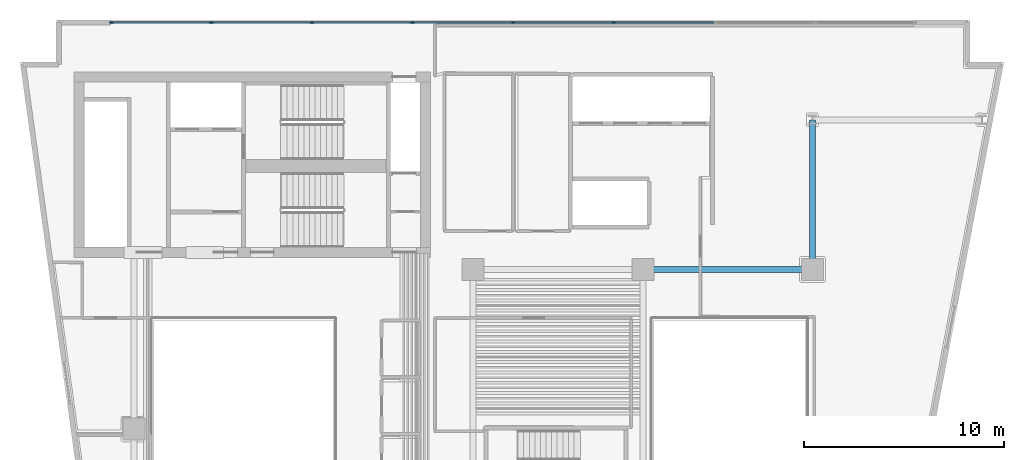
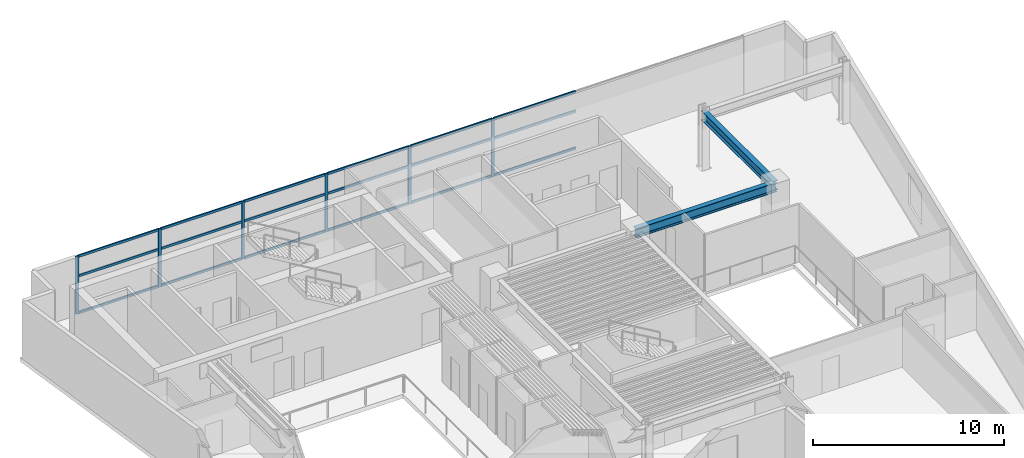
# One storey, part 3 of 13: 24 members, 2 beams, 1 element without a shape of its own.
"""IFC4 building model written with IfcOpenShell, lengths in metres."""

from ifc_helpers import new_model, si_unit, direction, frame, origin, origin_2d, place, context, subcontext, project, spatial, rectangle, i_section, extrude, material, layer, layer_set, material_profile, profile_set, type_object, element, aggregate, save


model = new_model("IFC4")

# Units and contexts
model_context = context("Model", 3, precision=1e-05, world=origin(), true_north=direction((0.0, 1.0)))
body_context = subcontext(model_context, "Body", "Model", "MODEL_VIEW")
ifc_project = project(units=[si_unit("LENGTHUNIT", "METRE"), si_unit("AREAUNIT", "SQUARE_METRE"), si_unit("VOLUMEUNIT", "CUBIC_METRE"), si_unit("PLANEANGLEUNIT", "RADIAN"), si_unit("MASSUNIT", "GRAM", prefix="KILO")], contexts=[model_context])

# Site, building, storey
site_placement = place(None, origin())
site = spatial("IfcSite", under=ifc_project, at=site_placement, CompositionType="ELEMENT")
building_placement = place(site_placement, origin())
building = spatial("IfcBuilding", under=site, at=building_placement, Name="Caeloran Harvest Quay", CompositionType="ELEMENT")
storey_placement = place(building_placement, frame((0.0, 0.0, 127.199951171875)))
storey = spatial("IfcBuildingStorey", under=building, at=storey_placement, Name="L29", CompositionType="ELEMENT", Elevation=127.199951171875)

# Beams
ifc_material_1 = material(Name="Steel S355J2", Category="steel")
ifc_material_profile_1 = material_profile(ifc_material_1, i_section(OverallWidth=0.300048828125, OverallDepth=0.60009765625, WebThickness=0.015380859375, FlangeThickness=0.030029296875, FilletRadius=0.027099609375, at=origin_2d()), Name="HE 600 B")
ifc_profile_set_1 = profile_set([ifc_material_profile_1], Name="Steel S355J2")
beam_type = type_object("IfcBeamType", Name="BM-PG-3-HE_600_B", PredefinedType="BEAM", material=ifc_profile_set_1)
beam_1_placement = place(storey_placement, frame((34.0, 31.0, 3.39013671875), z_axis=(1.0, 0.0, 0.0), x_axis=(0.0, 1.0, 0.0)))
element("IfcBeam", 1, at=beam_1_placement, inside=storey, type_object=beam_type, Name="L29 Primary East-West Girder Y=31.0", PredefinedType="BEAM", context=body_context, shape_type="SweptSolid", body=[
    extrude(i_section(OverallWidth=0.300048828125, OverallDepth=0.60009765625, WebThickness=0.015380859375, FlangeThickness=0.030029296875, FilletRadius=0.027099609375, at=origin_2d()), origin(), (0.0, 0.0, 1.0), 8.5),
])
beam_2_placement = place(storey_placement, frame((42.5, 31.0, 3.39013671875), z_axis=(0.0, 1.0, 0.0), x_axis=(-1.0, 0.0, 0.0)))
element("IfcBeam", 2, at=beam_2_placement, inside=storey, type_object=beam_type, Name="L29 Primary North-South Girder X=42.5", PredefinedType="BEAM", context=body_context, shape_type="SweptSolid", body=[
    extrude(i_section(OverallWidth=0.300048828125, OverallDepth=0.60009765625, WebThickness=0.015380859375, FlangeThickness=0.030029296875, FilletRadius=0.027099609375, at=origin_2d()), origin(), (0.0, 0.0, 1.0), 7.5),
])

# Curtain wall, members
ifc_material_2 = material(Name="Aluminium 6063-T6 and Low-E Glazing", Category="aluminium")
ifc_layer = layer(ifc_material_2, 0.18994140625, Name="Aluminium 6063-T6 and Low-E Glazing")
ifc_layer_set = layer_set([ifc_layer], Name="Aluminium 6063-T6 and Low-E Glazing")
curtain_wall_type = type_object("IfcCurtainWallType", Name="CW-SYS-CW-3", PredefinedType="USERDEFINED", material=ifc_layer_set)
curtain_wall_placement = place(storey_placement, origin())
curtain_wall = element("IfcCurtainWall", 3, at=curtain_wall_placement, inside=storey, type_object=curtain_wall_type, Name="L29 Unitised Curtain Wall CW-3 Run 6", ObjectType="CURTAIN_WALL", PredefinedType="USERDEFINED")
ifc_material_3 = material(Name="Aluminium 6063-T6", Category="aluminium")
ifc_material_profile_2 = material_profile(ifc_material_3, rectangle(XDim=0.080078125, YDim=0.179931640625, at=origin_2d()), Name="CW-MULLION-180")
ifc_profile_set_2 = profile_set([ifc_material_profile_2], Name="Aluminium 6063-T6")
member_type_1 = type_object("IfcMemberType", Name="CW-MULLION-180", PredefinedType="MULLION", material=ifc_profile_set_2)
member_1_placement = place(storey_placement, frame((7.3701171875, 43.3701171875, 0.0), z_axis=(0.0, 0.0, 1.0), x_axis=(0.0, 1.0, 0.0)))
member_1 = element("IfcMember", 4, at=member_1_placement, type_object=member_type_1, Name="CW-3 mullion 1", PredefinedType="MULLION", context=body_context, shape_type="SweptSolid", body=[
    extrude(rectangle(XDim=0.080078125, YDim=0.179931640625, at=origin_2d()), origin(), (0.0, 0.0, 1.0), 3.68994140625),
])
member_2_placement = place(storey_placement, frame((12.37255859375, 43.3701171875, 0.0), z_axis=(0.0, 0.0, 1.0), x_axis=(0.0, 1.0, 0.0)))
member_2 = element("IfcMember", 5, at=member_2_placement, type_object=member_type_1, Name="CW-3 mullion 2", PredefinedType="MULLION", context=body_context, shape_type="SweptSolid", body=[
    extrude(rectangle(XDim=0.080078125, YDim=0.179931640625, at=origin_2d()), origin(), (0.0, 0.0, 1.0), 3.68994140625),
])
member_3_placement = place(storey_placement, frame((17.4150390625, 43.3701171875, 0.0), z_axis=(0.0, 0.0, 1.0), x_axis=(0.0, 1.0, 0.0)))
member_3 = element("IfcMember", 6, at=member_3_placement, type_object=member_type_1, Name="CW-3 mullion 3", PredefinedType="MULLION", context=body_context, shape_type="SweptSolid", body=[
    extrude(rectangle(XDim=0.080078125, YDim=0.179931640625, at=origin_2d()), origin(), (0.0, 0.0, 1.0), 3.68994140625),
])
member_4_placement = place(storey_placement, frame((22.45751953125, 43.3701171875, 0.0), z_axis=(0.0, 0.0, 1.0), x_axis=(0.0, 1.0, 0.0)))
member_4 = element("IfcMember", 7, at=member_4_placement, type_object=member_type_1, Name="CW-3 mullion 4", PredefinedType="MULLION", context=body_context, shape_type="SweptSolid", body=[
    extrude(rectangle(XDim=0.080078125, YDim=0.179931640625, at=origin_2d()), origin(), (0.0, 0.0, 1.0), 3.68994140625),
])
member_5_placement = place(storey_placement, frame((27.5, 43.3701171875, 0.0), z_axis=(0.0, 0.0, 1.0), x_axis=(0.0, 1.0, 0.0)))
member_5 = element("IfcMember", 8, at=member_5_placement, type_object=member_type_1, Name="CW-3 mullion 5", PredefinedType="MULLION", context=body_context, shape_type="SweptSolid", body=[
    extrude(rectangle(XDim=0.080078125, YDim=0.179931640625, at=origin_2d()), origin(), (0.0, 0.0, 1.0), 3.68994140625),
])
member_6_placement = place(storey_placement, frame((32.54248046875, 43.3701171875, 0.0), z_axis=(0.0, 0.0, 1.0), x_axis=(0.0, 1.0, 0.0)))
member_6 = element("IfcMember", 9, at=member_6_placement, type_object=member_type_1, Name="CW-3 mullion 6", PredefinedType="MULLION", context=body_context, shape_type="SweptSolid", body=[
    extrude(rectangle(XDim=0.080078125, YDim=0.179931640625, at=origin_2d()), origin(), (0.0, 0.0, 1.0), 3.68994140625),
])
ifc_material_profile_3 = material_profile(ifc_material_3, rectangle(XDim=0.080078125, YDim=0.14990234375, at=origin_2d()), Name="CW-TRANSOM-150")
ifc_profile_set_3 = profile_set([ifc_material_profile_3], Name="Aluminium 6063-T6")
member_type_2 = type_object("IfcMemberType", Name="CW-TRANSOM-150", PredefinedType="USERDEFINED", material=ifc_profile_set_3)
member_7_placement = place(storey_placement, frame((7.409912109375, 43.3701171875, 0.0400390625), z_axis=(1.0, 0.0, 0.0), x_axis=(0.0, 1.0, 0.0)))
member_7 = element("IfcMember", 10, at=member_7_placement, type_object=member_type_2, Name="CW-3 transom 1.1", ObjectType="TRANSOM", PredefinedType="USERDEFINED", context=body_context, shape_type="SweptSolid", body=[
    extrude(rectangle(XDim=0.080078125, YDim=0.14990234375, at=origin_2d()), origin(), (0.0, 0.0, 1.0), 4.922607421875),
])
member_8_placement = place(storey_placement, frame((7.409912109375, 43.3701171875, 2.400146484375), z_axis=(1.0, 0.0, 0.0), x_axis=(0.0, 1.0, 0.0)))
member_8 = element("IfcMember", 11, at=member_8_placement, type_object=member_type_2, Name="CW-3 transom 1.2", ObjectType="TRANSOM", PredefinedType="USERDEFINED", context=body_context, shape_type="SweptSolid", body=[
    extrude(rectangle(XDim=0.080078125, YDim=0.14990234375, at=origin_2d()), origin(), (0.0, 0.0, 1.0), 4.922607421875),
])
member_9_placement = place(storey_placement, frame((7.409912109375, 43.3701171875, 3.650146484375), z_axis=(1.0, 0.0, 0.0), x_axis=(0.0, 1.0, 0.0)))
member_9 = element("IfcMember", 12, at=member_9_placement, type_object=member_type_2, Name="CW-3 transom 1.3", ObjectType="TRANSOM", PredefinedType="USERDEFINED", context=body_context, shape_type="SweptSolid", body=[
    extrude(rectangle(XDim=0.080078125, YDim=0.14990234375, at=origin_2d()), origin(), (0.0, 0.0, 1.0), 4.922607421875),
])
member_10_placement = place(storey_placement, frame((12.41259765625, 43.3701171875, 0.0400390625), z_axis=(1.0, 0.0, 0.0), x_axis=(0.0, 1.0, 0.0)))
member_10 = element("IfcMember", 13, at=member_10_placement, type_object=member_type_2, Name="CW-3 transom 2.1", ObjectType="TRANSOM", PredefinedType="USERDEFINED", context=body_context, shape_type="SweptSolid", body=[
    extrude(rectangle(XDim=0.080078125, YDim=0.14990234375, at=origin_2d()), origin(), (0.0, 0.0, 1.0), 4.96240234375),
])
member_11_placement = place(storey_placement, frame((12.41259765625, 43.3701171875, 2.400146484375), z_axis=(1.0, 0.0, 0.0), x_axis=(0.0, 1.0, 0.0)))
member_11 = element("IfcMember", 14, at=member_11_placement, type_object=member_type_2, Name="CW-3 transom 2.2", ObjectType="TRANSOM", PredefinedType="USERDEFINED", context=body_context, shape_type="SweptSolid", body=[
    extrude(rectangle(XDim=0.080078125, YDim=0.14990234375, at=origin_2d()), origin(), (0.0, 0.0, 1.0), 4.96240234375),
])
member_12_placement = place(storey_placement, frame((12.41259765625, 43.3701171875, 3.650146484375), z_axis=(1.0, 0.0, 0.0), x_axis=(0.0, 1.0, 0.0)))
member_12 = element("IfcMember", 15, at=member_12_placement, type_object=member_type_2, Name="CW-3 transom 2.3", ObjectType="TRANSOM", PredefinedType="USERDEFINED", context=body_context, shape_type="SweptSolid", body=[
    extrude(rectangle(XDim=0.080078125, YDim=0.14990234375, at=origin_2d()), origin(), (0.0, 0.0, 1.0), 4.96240234375),
])
member_13_placement = place(storey_placement, frame((17.455078125, 43.3701171875, 0.0400390625), z_axis=(1.0, 0.0, 0.0), x_axis=(0.0, 1.0, 0.0)))
member_13 = element("IfcMember", 16, at=member_13_placement, type_object=member_type_2, Name="CW-3 transom 3.1", ObjectType="TRANSOM", PredefinedType="USERDEFINED", context=body_context, shape_type="SweptSolid", body=[
    extrude(rectangle(XDim=0.080078125, YDim=0.14990234375, at=origin_2d()), origin(), (0.0, 0.0, 1.0), 4.96240234375),
])
member_14_placement = place(storey_placement, frame((17.455078125, 43.3701171875, 2.400146484375), z_axis=(1.0, 0.0, 0.0), x_axis=(0.0, 1.0, 0.0)))
member_14 = element("IfcMember", 17, at=member_14_placement, type_object=member_type_2, Name="CW-3 transom 3.2", ObjectType="TRANSOM", PredefinedType="USERDEFINED", context=body_context, shape_type="SweptSolid", body=[
    extrude(rectangle(XDim=0.080078125, YDim=0.14990234375, at=origin_2d()), origin(), (0.0, 0.0, 1.0), 4.96240234375),
])
member_15_placement = place(storey_placement, frame((17.455078125, 43.3701171875, 3.650146484375), z_axis=(1.0, 0.0, 0.0), x_axis=(0.0, 1.0, 0.0)))
member_15 = element("IfcMember", 18, at=member_15_placement, type_object=member_type_2, Name="CW-3 transom 3.3", ObjectType="TRANSOM", PredefinedType="USERDEFINED", context=body_context, shape_type="SweptSolid", body=[
    extrude(rectangle(XDim=0.080078125, YDim=0.14990234375, at=origin_2d()), origin(), (0.0, 0.0, 1.0), 4.96240234375),
])
member_16_placement = place(storey_placement, frame((22.49755859375, 43.3701171875, 0.0400390625), z_axis=(1.0, 0.0, 0.0), x_axis=(0.0, 1.0, 0.0)))
member_16 = element("IfcMember", 19, at=member_16_placement, type_object=member_type_2, Name="CW-3 transom 4.1", ObjectType="TRANSOM", PredefinedType="USERDEFINED", context=body_context, shape_type="SweptSolid", body=[
    extrude(rectangle(XDim=0.080078125, YDim=0.14990234375, at=origin_2d()), origin(), (0.0, 0.0, 1.0), 4.96240234375),
])
member_17_placement = place(storey_placement, frame((22.49755859375, 43.3701171875, 2.400146484375), z_axis=(1.0, 0.0, 0.0), x_axis=(0.0, 1.0, 0.0)))
member_17 = element("IfcMember", 20, at=member_17_placement, type_object=member_type_2, Name="CW-3 transom 4.2", ObjectType="TRANSOM", PredefinedType="USERDEFINED", context=body_context, shape_type="SweptSolid", body=[
    extrude(rectangle(XDim=0.080078125, YDim=0.14990234375, at=origin_2d()), origin(), (0.0, 0.0, 1.0), 4.96240234375),
])
member_18_placement = place(storey_placement, frame((22.49755859375, 43.3701171875, 3.650146484375), z_axis=(1.0, 0.0, 0.0), x_axis=(0.0, 1.0, 0.0)))
member_18 = element("IfcMember", 21, at=member_18_placement, type_object=member_type_2, Name="CW-3 transom 4.3", ObjectType="TRANSOM", PredefinedType="USERDEFINED", context=body_context, shape_type="SweptSolid", body=[
    extrude(rectangle(XDim=0.080078125, YDim=0.14990234375, at=origin_2d()), origin(), (0.0, 0.0, 1.0), 4.96240234375),
])
member_19_placement = place(storey_placement, frame((27.5400390625, 43.3701171875, 0.0400390625), z_axis=(1.0, 0.0, 0.0), x_axis=(0.0, 1.0, 0.0)))
member_19 = element("IfcMember", 22, at=member_19_placement, type_object=member_type_2, Name="CW-3 transom 5.1", ObjectType="TRANSOM", PredefinedType="USERDEFINED", context=body_context, shape_type="SweptSolid", body=[
    extrude(rectangle(XDim=0.080078125, YDim=0.14990234375, at=origin_2d()), origin(), (0.0, 0.0, 1.0), 4.96240234375),
])
member_20_placement = place(storey_placement, frame((27.5400390625, 43.3701171875, 2.400146484375), z_axis=(1.0, 0.0, 0.0), x_axis=(0.0, 1.0, 0.0)))
member_20 = element("IfcMember", 23, at=member_20_placement, type_object=member_type_2, Name="CW-3 transom 5.2", ObjectType="TRANSOM", PredefinedType="USERDEFINED", context=body_context, shape_type="SweptSolid", body=[
    extrude(rectangle(XDim=0.080078125, YDim=0.14990234375, at=origin_2d()), origin(), (0.0, 0.0, 1.0), 4.96240234375),
])
member_21_placement = place(storey_placement, frame((27.5400390625, 43.3701171875, 3.650146484375), z_axis=(1.0, 0.0, 0.0), x_axis=(0.0, 1.0, 0.0)))
member_21 = element("IfcMember", 24, at=member_21_placement, type_object=member_type_2, Name="CW-3 transom 5.3", ObjectType="TRANSOM", PredefinedType="USERDEFINED", context=body_context, shape_type="SweptSolid", body=[
    extrude(rectangle(XDim=0.080078125, YDim=0.14990234375, at=origin_2d()), origin(), (0.0, 0.0, 1.0), 4.96240234375),
])
member_22_placement = place(storey_placement, frame((32.58251953125, 43.3701171875, 0.0400390625), z_axis=(1.0, 0.0, 0.0), x_axis=(0.0, 1.0, 0.0)))
member_22 = element("IfcMember", 25, at=member_22_placement, type_object=member_type_2, Name="CW-3 transom 6.1", ObjectType="TRANSOM", PredefinedType="USERDEFINED", context=body_context, shape_type="SweptSolid", body=[
    extrude(rectangle(XDim=0.080078125, YDim=0.14990234375, at=origin_2d()), origin(), (0.0, 0.0, 1.0), 4.96240234375),
])
member_23_placement = place(storey_placement, frame((32.58251953125, 43.3701171875, 2.400146484375), z_axis=(1.0, 0.0, 0.0), x_axis=(0.0, 1.0, 0.0)))
member_23 = element("IfcMember", 26, at=member_23_placement, type_object=member_type_2, Name="CW-3 transom 6.2", ObjectType="TRANSOM", PredefinedType="USERDEFINED", context=body_context, shape_type="SweptSolid", body=[
    extrude(rectangle(XDim=0.080078125, YDim=0.14990234375, at=origin_2d()), origin(), (0.0, 0.0, 1.0), 4.96240234375),
])
member_24_placement = place(storey_placement, frame((32.58251953125, 43.3701171875, 3.650146484375), z_axis=(1.0, 0.0, 0.0), x_axis=(0.0, 1.0, 0.0)))
member_24 = element("IfcMember", 27, at=member_24_placement, type_object=member_type_2, Name="CW-3 transom 6.3", ObjectType="TRANSOM", PredefinedType="USERDEFINED", context=body_context, shape_type="SweptSolid", body=[
    extrude(rectangle(XDim=0.080078125, YDim=0.14990234375, at=origin_2d()), origin(), (0.0, 0.0, 1.0), 4.96240234375),
])
aggregate(curtain_wall, [member_1, member_2, member_3, member_4, member_5, member_6, member_7, member_8, member_9, member_10, member_11, member_12, member_13, member_14, member_15, member_16, member_17, member_18, member_19, member_20, member_21, member_22, member_23, member_24])

save(model, "model.ifc")
